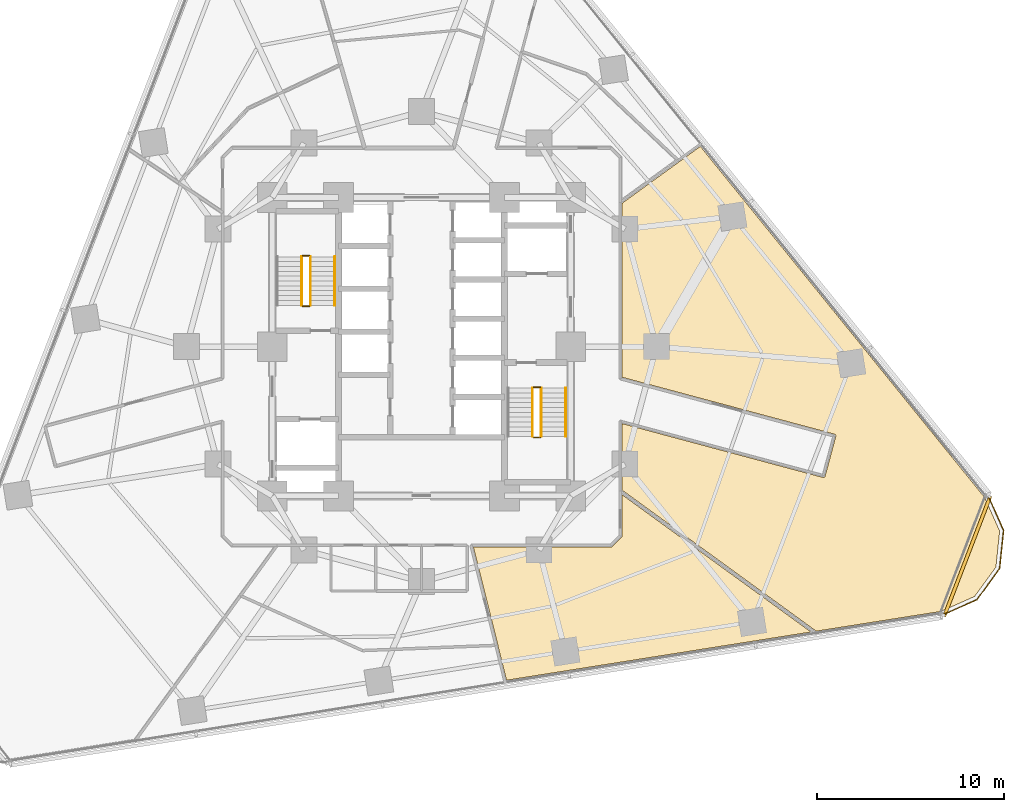
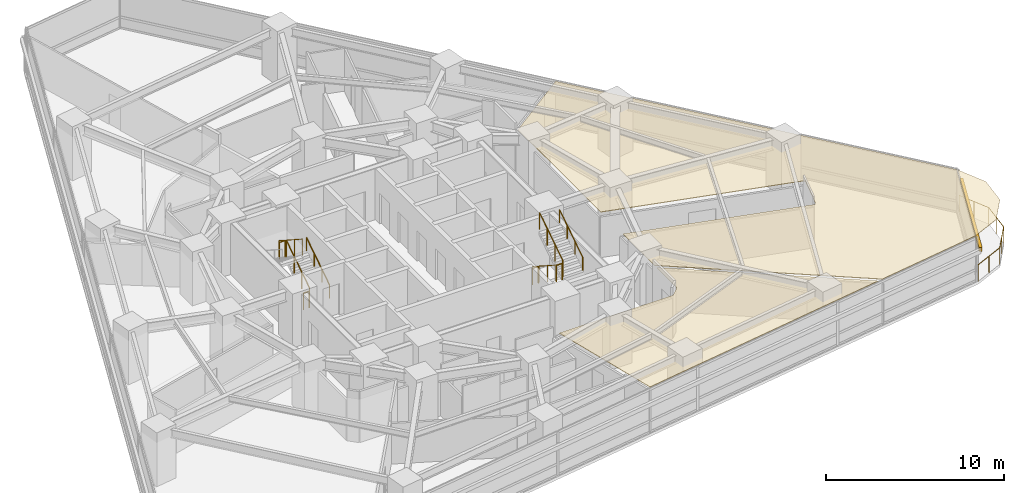
# One storey, part 12 of 13: 11 railings, 2 coverings, 1 shading device.
"""IFC4 building model written with IfcOpenShell, lengths in metres."""

from ifc_helpers import new_model, si_unit, direction, frame, origin, origin_2d, place, context, subcontext, project, spatial, polyline, rectangle, circle, outline, extrude, material, layer, layer_set, type_object, element, save


model = new_model("IFC4")

# Units and contexts
model_context = context("Model", 3, precision=1e-05, world=origin(), true_north=direction((0.0, 1.0)))
body_context = subcontext(model_context, "Body", "Model", "MODEL_VIEW")
ifc_project = project(units=[si_unit("LENGTHUNIT", "METRE"), si_unit("AREAUNIT", "SQUARE_METRE"), si_unit("VOLUMEUNIT", "CUBIC_METRE"), si_unit("PLANEANGLEUNIT", "RADIAN"), si_unit("MASSUNIT", "GRAM", prefix="KILO")], contexts=[model_context])

# Site, building, storey
site_placement = place(None, origin())
site = spatial("IfcSite", under=ifc_project, at=site_placement, CompositionType="ELEMENT")
building_placement = place(site_placement, origin())
building = spatial("IfcBuilding", under=site, at=building_placement, Name="Terralouvre Media Tower", CompositionType="ELEMENT")
storey_placement = place(building_placement, frame((0.0, 0.0, 59.300048828125)))
storey = spatial("IfcBuildingStorey", under=building, at=storey_placement, Name="L14", CompositionType="ELEMENT", Elevation=59.300048828125)

# Coverings
ifc_material_1 = material(Name="Perforated aluminium acoustic ceiling baffle", Category="aluminium")
ifc_layer_1 = layer(ifc_material_1, 0.0400390625, Name="Perforated Acoustic Metal Tile Ceiling CL-AC1")
ifc_layer_set_1 = layer_set([ifc_layer_1], Name="Perforated aluminium acoustic ceiling baffle")
covering_type = type_object("IfcCoveringType", Name="Perforated Acoustic Metal Tile Ceiling CL-AC1", PredefinedType="CEILING", material=ifc_layer_set_1)
covering_1_placement = place(storey_placement, frame((0.0, 0.0, 2.97998046875), z_axis=(0.0, 0.0, 1.0), x_axis=(0.987688340595, 0.15643446504, 0.0)))
element("IfcCovering", 1, at=covering_1_placement, inside=storey, type_object=covering_type, Name="L14 Design Critique Boardroom 1 Acoustic Ceiling", PredefinedType="CEILING", context=body_context, shape_type="SweptSolid", body=[
    extrude(outline(polyline([(11.820068359375, 5.91064453125), (10.361328125, -3.2998046875), (21.134521484375, -8.09619140625), (21.143310546875, -8.1005859375), (21.151611328125, -8.10595703125), (21.159423828125, -8.112060546875), (21.16650390625, -8.118896484375), (21.1728515625, -8.126220703125), (21.178466796875, -8.13427734375), (21.183349609375, -8.142822265625), (21.187255859375, -8.15185546875), (21.1904296875, -8.1611328125), (21.1923828125, -8.170654296875), (21.193603515625, -8.180419921875), (21.19384765625, -8.190185546875), (21.193115234375, -8.199951171875), (21.19140625, -8.209716796875), (21.188720703125, -8.21923828125), (21.185302734375, -8.228271484375), (20.289794921875, -10.238037109375), (20.285400390625, -10.24658203125), (20.280029296875, -10.255126953125), (20.274169921875, -10.2626953125), (20.267333984375, -10.269775390625), (20.259765625, -10.2763671875), (20.251708984375, -10.281982421875), (20.2431640625, -10.28662109375), (20.234375, -10.29052734375), (20.22509765625, -10.293701171875), (20.21533203125, -10.2958984375), (20.20556640625, -10.297119140625), (20.19580078125, -10.297119140625), (20.18603515625, -10.29638671875), (20.176513671875, -10.294921875), (20.1669921875, -10.292236328125), (20.15771484375, -10.28857421875), (9.972900390625, -5.753173828125), (9.4150390625, -9.27392578125), (18.520263671875, -18.378173828125), (25.290771484375, -18.37890625), (27.196533203125, -17.8681640625), (28.56982421875, -16.494384765625), (29.072021484375, -14.617919921875), (28.561767578125, -12.71337890625), (16.447998046875, 8.26806640625), (15.200927734375, 7.633056640625), (11.820068359375, 5.91064453125)])), origin(), (0.0, 0.0, 1.0), 0.0400390625),
])
covering_2_placement = place(storey_placement, frame((0.0, 0.0, 2.97998046875), z_axis=(0.0, 0.0, 1.0), x_axis=(0.987688340595, 0.15643446504, 0.0)))
element("IfcCovering", 2, at=covering_2_placement, inside=storey, type_object=covering_type, Name="L14 Analytics Team Office 8 Acoustic Ceiling", PredefinedType="CEILING", context=body_context, shape_type="SweptSolid", body=[
    extrude(outline(polyline([(9.02978515625, -11.706787109375), (9.02783203125, -11.71630859375), (9.02490234375, -11.7255859375), (9.02099609375, -11.734619140625), (9.016357421875, -11.743408203125), (9.0107421875, -11.75146484375), (9.00439453125, -11.759033203125), (8.99755859375, -11.765869140625), (8.98974609375, -11.77197265625), (8.417724609375, -12.1875), (8.409423828125, -12.19287109375), (8.40087890625, -12.197509765625), (8.391845703125, -12.201171875), (8.38232421875, -12.203857421875), (8.372802734375, -12.205810546875), (8.363037109375, -12.20654296875), (8.35302734375, -12.20654296875), (8.34326171875, -12.20556640625), (1.067138671875, -11.052978515625), (1.538330078125, -16.432861328125), (1.7080078125, -18.37841796875), (18.237548828125, -18.378173828125), (9.37646484375, -9.51806640625), (9.02978515625, -11.706787109375)])), origin(), (0.0, 0.0, 1.0), 0.0400390625),
])

# Railings
ifc_material_2 = material(Name="Stainless steel 316 handrail and balustrade", Category="steel")
ifc_layer_2 = layer(ifc_material_2, 0.06005859375, Name="Roof Edge Safety Guardrail GR-ROOF1")
ifc_layer_set_2 = layer_set([ifc_layer_2], Name="Stainless steel 316 handrail and balustrade")
railing_type_1 = type_object("IfcRailingType", Name="Roof Edge Safety Guardrail GR-ROOF1", PredefinedType="GUARDRAIL", material=ifc_layer_set_2)
railing_1_placement = place(storey_placement, frame((27.904296875, -14.401611328125, 0.0)))
element("IfcRailing", 3, at=railing_1_placement, inside=storey, type_object=railing_type_1, Name="L14 Wind-Corner Perimeter Safety Guardrail C1", PredefinedType="GUARDRAIL", context=body_context, shape_type="SweptSolid", body=[
    extrude(circle(Radius=0.02099609375, at=origin_2d()), frame((0.0, 0.0, 1.12890625), z_axis=(0.91366973946, 0.40645738669, 0.0), x_axis=(-0.40645738669, 0.91366973946, 0.0)), (0.0, 0.0, 1.0), 2.0595703125),
    extrude(circle(Radius=0.02099609375, at=origin_2d()), frame((1.8818359375, 0.837158203125, 1.12890625), z_axis=(0.587868563624, 0.808956458595, 0.0), x_axis=(-0.808956458595, 0.587868563624, 0.0)), (0.0, 0.0, 1.0), 2.0595703125),
    extrude(circle(Radius=0.02099609375, at=origin_2d()), frame((3.092529296875, 2.503173828125, 1.12890625), z_axis=(0.104456420886, 0.99452946469, 0.0), x_axis=(-0.99452946469, 0.104456420886, 0.0)), (0.0, 0.0, 1.0), 2.05908203125),
    extrude(circle(Radius=0.02099609375, at=origin_2d()), frame((3.3076171875, 4.551025390625, 1.12890625), z_axis=(-0.406996026336, 0.913429928646, 0.0), x_axis=(-0.913429928646, -0.406996026336, 0.0)), (0.0, 0.0, 1.0), 2.059814453125),
    extrude(circle(Radius=0.01904296875, at=origin_2d()), origin(), (0.0, 0.0, 1.0), 1.10791015625),
    extrude(circle(Radius=0.01904296875, at=origin_2d()), frame((0.94091796875, 0.41845703125, 0.0)), (0.0, 0.0, 1.0), 1.10791015625),
    extrude(circle(Radius=0.01904296875, at=origin_2d()), frame((1.8818359375, 0.837158203125, 0.0)), (0.0, 0.0, 1.0), 1.10791015625),
    extrude(circle(Radius=0.01904296875, at=origin_2d()), frame((2.4873046875, 1.670166015625, 0.0)), (0.0, 0.0, 1.0), 1.10791015625),
    extrude(circle(Radius=0.01904296875, at=origin_2d()), frame((3.092529296875, 2.503173828125, 0.0)), (0.0, 0.0, 1.0), 1.10791015625),
    extrude(circle(Radius=0.01904296875, at=origin_2d()), frame((3.2001953125, 3.527099609375, 0.0)), (0.0, 0.0, 1.0), 1.10791015625),
    extrude(circle(Radius=0.01904296875, at=origin_2d()), frame((3.3076171875, 4.551025390625, 0.0)), (0.0, 0.0, 1.0), 1.10791015625),
    extrude(circle(Radius=0.01904296875, at=origin_2d()), frame((2.888427734375, 5.49169921875, 0.0)), (0.0, 0.0, 1.0), 1.10791015625),
    extrude(circle(Radius=0.01904296875, at=origin_2d()), frame((2.46923828125, 6.4326171875, 0.0)), (0.0, 0.0, 1.0), 1.10791015625),
])
ifc_material_3 = material(Name="Stainless steel 316 handrail and balustrade", Category="steel")
ifc_layer_3 = layer(ifc_material_3, 0.050048828125, Name="Stair Flight Wall Handrail HR-INT1")
ifc_layer_set_3 = layer_set([ifc_layer_3], Name="Stainless steel 316 handrail and balustrade")
railing_type_2 = type_object("IfcRailingType", Name="Stair Flight Wall Handrail HR-INT1", PredefinedType="HANDRAIL", material=ifc_layer_set_3)
railing_2_placement = place(storey_placement, frame((-4.64990234375, 2.219970703125, 0.168212890625)))
element("IfcRailing", 4, at=railing_2_placement, inside=storey, type_object=railing_type_2, Name="L14 ST-01 stair handrail 1", PredefinedType="HANDRAIL", context=body_context, shape_type="SweptSolid", body=[
    extrude(circle(Radius=0.02392578125, at=origin_2d()), frame((0.0, 0.0, 0.8759765625), z_axis=(0.0, 0.839684365666, 0.543074733399), x_axis=(-1.0, 0.0, 0.0)), (0.0, 0.0, 1.0), 3.096435546875),
    extrude(circle(Radius=0.02099609375, at=origin_2d()), origin(), (0.0, 0.0, 1.0), 0.851806640625),
    extrude(circle(Radius=0.02099609375, at=origin_2d()), frame((0.0, 0.86669921875, 0.560546875)), (0.0, 0.0, 1.0), 0.851806640625),
    extrude(circle(Radius=0.02099609375, at=origin_2d()), frame((0.0, 1.7333984375, 1.12109375)), (0.0, 0.0, 1.0), 0.851806640625),
    extrude(circle(Radius=0.02099609375, at=origin_2d()), frame((0.0, 2.60009765625, 1.681640625)), (0.0, 0.0, 1.0), 0.851806640625),
])
railing_3_placement = place(storey_placement, frame((7.72998046875, -4.820068359375, 2.01806640625)))
element("IfcRailing", 5, at=railing_3_placement, inside=storey, type_object=railing_type_2, Name="L14 ST-02 stair handrail 2", PredefinedType="HANDRAIL", context=body_context, shape_type="SweptSolid", body=[
    extrude(circle(Radius=0.02392578125, at=origin_2d()), frame((0.0, 0.0, 0.8759765625), z_axis=(0.0, 0.839648411786, 0.543130320075), x_axis=(-1.0, 0.0, 0.0)), (0.0, 0.0, 1.0), 3.0966796875),
    extrude(circle(Radius=0.02099609375, at=origin_2d()), origin(), (0.0, 0.0, 1.0), 0.851806640625),
    extrude(circle(Radius=0.02099609375, at=origin_2d()), frame((0.0, 0.86669921875, 0.560546875)), (0.0, 0.0, 1.0), 0.851806640625),
    extrude(circle(Radius=0.02099609375, at=origin_2d()), frame((0.0, 1.7333984375, 1.121337890625)), (0.0, 0.0, 1.0), 0.851806640625),
    extrude(circle(Radius=0.02099609375, at=origin_2d()), frame((0.0, 2.60009765625, 1.681884765625)), (0.0, 0.0, 1.0), 0.851806640625),
])
ifc_material_4 = material(Name="Stainless steel 316 handrail and balustrade", Category="steel")
ifc_layer_4 = layer(ifc_material_4, 0.050048828125, Name="Stairwell Safety Guardrail GR-INT1")
ifc_layer_set_4 = layer_set([ifc_layer_4], Name="Stainless steel 316 handrail and balustrade")
railing_type_3 = type_object("IfcRailingType", Name="Stairwell Safety Guardrail GR-INT1", PredefinedType="GUARDRAIL", material=ifc_layer_set_4)
railing_4_placement = place(storey_placement, frame((-5.949951171875, 2.219970703125, 0.168212890625)))
element("IfcRailing", 6, at=railing_4_placement, inside=storey, type_object=railing_type_3, Name="L14 ST-01 stair guard 1", PredefinedType="GUARDRAIL", context=body_context, shape_type="SweptSolid", body=[
    extrude(circle(Radius=0.02392578125, at=origin_2d()), frame((0.0, 0.0, 1.1259765625), z_axis=(0.0, 0.839684365666, 0.543074733399), x_axis=(-1.0, 0.0, 0.0)), (0.0, 0.0, 1.0), 3.096435546875),
    extrude(circle(Radius=0.02099609375, at=origin_2d()), origin(), (0.0, 0.0, 1.0), 1.101806640625),
    extrude(circle(Radius=0.02099609375, at=origin_2d()), frame((0.0, 0.86669921875, 0.560546875)), (0.0, 0.0, 1.0), 1.101806640625),
    extrude(circle(Radius=0.02099609375, at=origin_2d()), frame((0.0, 1.7333984375, 1.12109375)), (0.0, 0.0, 1.0), 1.101806640625),
    extrude(circle(Radius=0.02099609375, at=origin_2d()), frame((0.0, 2.60009765625, 1.681640625)), (0.0, 0.0, 1.0), 1.101806640625),
])
railing_5_placement = place(storey_placement, frame((-6.0, 4.8701171875, 1.849853515625)))
element("IfcRailing", 7, at=railing_5_placement, inside=storey, type_object=railing_type_3, Name="L14 ST-01 stair guard 2", PredefinedType="GUARDRAIL", context=body_context, shape_type="SweptSolid", body=[
    extrude(circle(Radius=0.02392578125, at=origin_2d()), frame((0.0, 0.0, 1.1259765625), z_axis=(-1.0, 0.0, 0.0), x_axis=(0.0, -1.0, 0.0)), (0.0, 0.0, 1.0), 0.3798828125),
    extrude(circle(Radius=0.02099609375, at=origin_2d()), origin(), (0.0, 0.0, 1.0), 1.101806640625),
    extrude(circle(Radius=0.02099609375, at=origin_2d()), frame((-0.3798828125, 0.0, 0.0)), (0.0, 0.0, 1.0), 1.101806640625),
])
railing_6_placement = place(storey_placement, frame((-6.429931640625, 4.820068359375, 2.01806640625)))
element("IfcRailing", 8, at=railing_6_placement, inside=storey, type_object=railing_type_3, Name="L14 ST-01 stair guard 3", PredefinedType="GUARDRAIL", context=body_context, shape_type="SweptSolid", body=[
    extrude(circle(Radius=0.02392578125, at=origin_2d()), frame((0.0, 0.0, 1.1259765625), z_axis=(0.0, -0.839648411786, 0.543130320075), x_axis=(1.0, 0.0, 0.0)), (0.0, 0.0, 1.0), 3.0966796875),
    extrude(circle(Radius=0.02099609375, at=origin_2d()), origin(), (0.0, 0.0, 1.0), 1.101806640625),
    extrude(circle(Radius=0.02099609375, at=origin_2d()), frame((0.0, -0.86669921875, 0.560546875)), (0.0, 0.0, 1.0), 1.101806640625),
    extrude(circle(Radius=0.02099609375, at=origin_2d()), frame((0.0, -1.7333984375, 1.121337890625)), (0.0, 0.0, 1.0), 1.101806640625),
    extrude(circle(Radius=0.02099609375, at=origin_2d()), frame((0.0, -2.60009765625, 1.681884765625)), (0.0, 0.0, 1.0), 1.101806640625),
])
railing_7_placement = place(storey_placement, frame((-6.0, 2.169921875, 0.0)))
element("IfcRailing", 9, at=railing_7_placement, inside=storey, type_object=railing_type_3, Name="L14 ST-01 stair guard 4", PredefinedType="GUARDRAIL", context=body_context, shape_type="SweptSolid", body=[
    extrude(circle(Radius=0.02392578125, at=origin_2d()), frame((0.0, 0.0, 1.1259765625), z_axis=(-1.0, 0.0, 0.0), x_axis=(0.0, -1.0, 0.0)), (0.0, 0.0, 1.0), 0.3798828125),
    extrude(circle(Radius=0.02099609375, at=origin_2d()), origin(), (0.0, 0.0, 1.0), 1.101806640625),
    extrude(circle(Radius=0.02099609375, at=origin_2d()), frame((-0.3798828125, 0.0, 0.0)), (0.0, 0.0, 1.0), 1.101806640625),
])
railing_8_placement = place(storey_placement, frame((5.949951171875, -2.219970703125, 0.168212890625)))
element("IfcRailing", 10, at=railing_8_placement, inside=storey, type_object=railing_type_3, Name="L14 ST-02 stair guard 1", PredefinedType="GUARDRAIL", context=body_context, shape_type="SweptSolid", body=[
    extrude(circle(Radius=0.02392578125, at=origin_2d()), frame((0.0, 0.0, 1.1259765625), z_axis=(0.0, -0.839684365666, 0.543074733399), x_axis=(1.0, 0.0, 0.0)), (0.0, 0.0, 1.0), 3.096435546875),
    extrude(circle(Radius=0.02099609375, at=origin_2d()), origin(), (0.0, 0.0, 1.0), 1.101806640625),
    extrude(circle(Radius=0.02099609375, at=origin_2d()), frame((0.0, -0.86669921875, 0.560546875)), (0.0, 0.0, 1.0), 1.101806640625),
    extrude(circle(Radius=0.02099609375, at=origin_2d()), frame((0.0, -1.7333984375, 1.12109375)), (0.0, 0.0, 1.0), 1.101806640625),
    extrude(circle(Radius=0.02099609375, at=origin_2d()), frame((0.0, -2.60009765625, 1.681640625)), (0.0, 0.0, 1.0), 1.101806640625),
])
railing_9_placement = place(storey_placement, frame((6.0, -4.8701171875, 1.849853515625)))
element("IfcRailing", 11, at=railing_9_placement, inside=storey, type_object=railing_type_3, Name="L14 ST-02 stair guard 2", PredefinedType="GUARDRAIL", context=body_context, shape_type="SweptSolid", body=[
    extrude(circle(Radius=0.02392578125, at=origin_2d()), frame((0.0, 0.0, 1.1259765625), z_axis=(1.0, 0.0, 0.0), x_axis=(0.0, 1.0, 0.0)), (0.0, 0.0, 1.0), 0.3798828125),
    extrude(circle(Radius=0.02099609375, at=origin_2d()), origin(), (0.0, 0.0, 1.0), 1.101806640625),
    extrude(circle(Radius=0.02099609375, at=origin_2d()), frame((0.3798828125, 0.0, 0.0)), (0.0, 0.0, 1.0), 1.101806640625),
])
railing_10_placement = place(storey_placement, frame((6.429931640625, -4.820068359375, 2.01806640625)))
element("IfcRailing", 12, at=railing_10_placement, inside=storey, type_object=railing_type_3, Name="L14 ST-02 stair guard 3", PredefinedType="GUARDRAIL", context=body_context, shape_type="SweptSolid", body=[
    extrude(circle(Radius=0.02392578125, at=origin_2d()), frame((0.0, 0.0, 1.1259765625), z_axis=(0.0, 0.839648411786, 0.543130320075), x_axis=(-1.0, 0.0, 0.0)), (0.0, 0.0, 1.0), 3.0966796875),
    extrude(circle(Radius=0.02099609375, at=origin_2d()), origin(), (0.0, 0.0, 1.0), 1.101806640625),
    extrude(circle(Radius=0.02099609375, at=origin_2d()), frame((0.0, 0.86669921875, 0.560546875)), (0.0, 0.0, 1.0), 1.101806640625),
    extrude(circle(Radius=0.02099609375, at=origin_2d()), frame((0.0, 1.7333984375, 1.121337890625)), (0.0, 0.0, 1.0), 1.101806640625),
    extrude(circle(Radius=0.02099609375, at=origin_2d()), frame((0.0, 2.60009765625, 1.681884765625)), (0.0, 0.0, 1.0), 1.101806640625),
])
railing_11_placement = place(storey_placement, frame((6.0, -2.169921875, 0.0)))
element("IfcRailing", 13, at=railing_11_placement, inside=storey, type_object=railing_type_3, Name="L14 ST-02 stair guard 4", PredefinedType="GUARDRAIL", context=body_context, shape_type="SweptSolid", body=[
    extrude(circle(Radius=0.02392578125, at=origin_2d()), frame((0.0, 0.0, 1.1259765625), z_axis=(1.0, 0.0, 0.0), x_axis=(0.0, 1.0, 0.0)), (0.0, 0.0, 1.0), 0.3798828125),
    extrude(circle(Radius=0.02099609375, at=origin_2d()), origin(), (0.0, 0.0, 1.0), 1.101806640625),
    extrude(circle(Radius=0.02099609375, at=origin_2d()), frame((0.3798828125, 0.0, 0.0)), (0.0, 0.0, 1.0), 1.101806640625),
])

# Shading device
ifc_material_5 = material(Name="Extruded terracotta baguette sunshade louvres", Category="masonry")
shading_device_type = type_object("IfcShadingDeviceType", Name="Terracotta Baguette Sunshade Louvre Screen TB-LV1", PredefinedType="USERDEFINED", material=ifc_material_5)
shading_device_placement = place(storey_placement, frame((29.264892578125, -11.23388671875, 2.02392578125), z_axis=(0.0, 0.0, 1.0), x_axis=(0.358367472863, 0.933580609478, 0.0)))
element("IfcShadingDevice", 14, at=shading_device_placement, inside=storey, type_object=shading_device_type, Name="CW-L14-C1 Terracotta Baguette Sunshade Louvre", ObjectType="BAGUETTE", PredefinedType="USERDEFINED", context=body_context, shape_type="SweptSolid", body=[
    extrude(rectangle(XDim=6.8935546875, YDim=0.179931640625, at=origin_2d()), origin(), (0.0, 0.0, 1.0), 0.280029296875),
])

save(model, "model.ifc")
